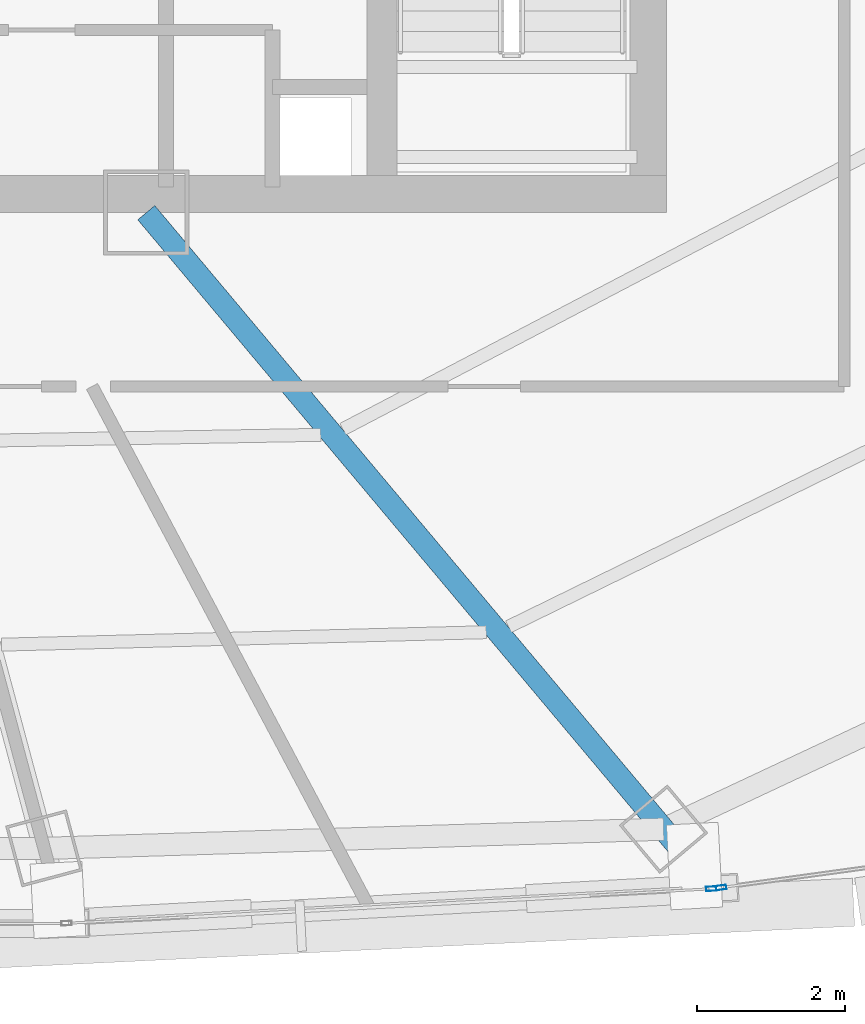
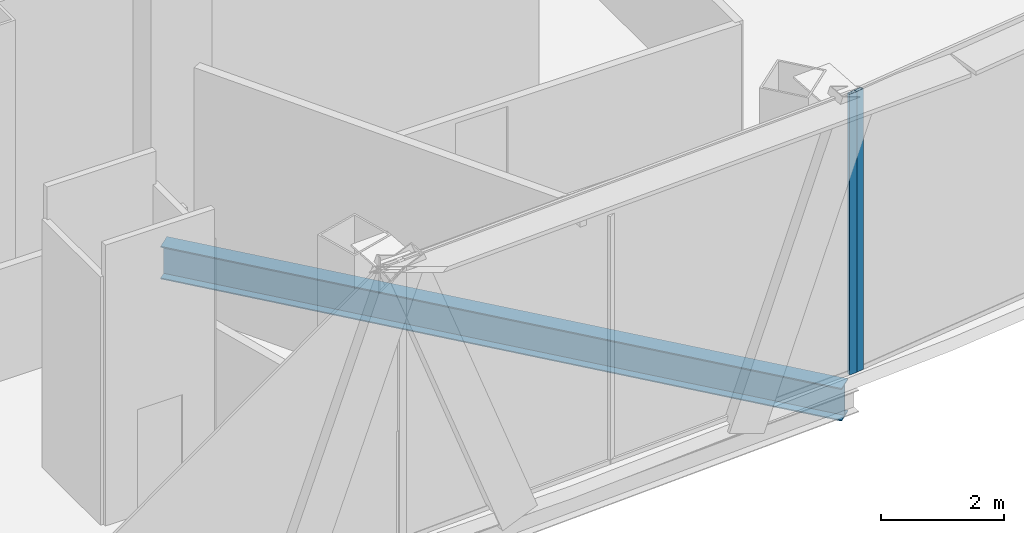
# One storey, part 12 of 38: 2 members, 1 beam, 2 elements without a shape of their own.
"""IFC4 building model written with IfcOpenShell, lengths in metres."""

from ifc_helpers import new_model, si_unit, direction, frame, origin, origin_2d, place, context, subcontext, project, spatial, hollow_rectangle, i_section, extrude, source, transform, mapped, material, layer, layer_set, material_profile, profile_set, type_object, element, aggregate, save


model = new_model("IFC4")

# Units and contexts
model_context = context("Model", 3, precision=1e-05, world=origin(), true_north=direction((0.0, 1.0)))
body_context = subcontext(model_context, "Body", "Model", "MODEL_VIEW")
ifc_project = project(units=[si_unit("LENGTHUNIT", "METRE"), si_unit("AREAUNIT", "SQUARE_METRE"), si_unit("VOLUMEUNIT", "CUBIC_METRE"), si_unit("PLANEANGLEUNIT", "RADIAN"), si_unit("MASSUNIT", "GRAM", prefix="KILO"), si_unit("THERMODYNAMICTEMPERATUREUNIT", "KELVIN"), si_unit("POWERUNIT", "WATT")], contexts=[model_context])

# Site, building, storey
site_placement = place(None, origin())
site = spatial("IfcSite", under=ifc_project, at=site_placement, CompositionType="ELEMENT")
building_placement = place(site_placement, origin())
building = spatial("IfcBuilding", under=site, at=building_placement, Name="Yunzhuo Pagoda Commons", CompositionType="ELEMENT")
storey_placement = place(building_placement, frame((0.0, 0.0, 266.909912109375)))
storey = spatial("IfcBuildingStorey", under=building, at=storey_placement, Name="L67", CompositionType="ELEMENT", Elevation=266.909912109375)

# Beam
ifc_material_1 = material(Name="Structural steel Q355B", Category="steel")
ifc_material_profile_1 = material_profile(ifc_material_1, i_section(OverallWidth=0.300048828125, OverallDepth=0.64990234375, WebThickness=0.012939453125, FlangeThickness=0.02197265625, at=origin_2d()), Name="Structural steel Q355B")
ifc_profile_set_1 = profile_set([ifc_material_profile_1], Name="Structural steel Q355B")
beam_type = type_object("IfcBeamType", Name="B-RG2 Beam HN 650x300x13x22", PredefinedType="BEAM", material=ifc_profile_set_1)
shared_shape_1 = source(origin(), body_context, "Body", "SweptSolid", [
    extrude(i_section(OverallWidth=0.300048828125, OverallDepth=0.64990234375, WebThickness=0.012939453125, FlangeThickness=0.02197265625, at=origin_2d()), origin(), (0.0, 0.0, 1.0), 11.77734375),
])
beam_placement = place(storey_placement, frame((60.982421875, 18.22802734375, -0.5849609375), z_axis=(-0.642786541985, 0.766045339026, 0.0), x_axis=(-0.766045339026, -0.642786541985, 0.0)))
element("IfcBeam", 1, at=beam_placement, inside=storey, type_object=beam_type, Name="L67 radial floor girder F1C4", PredefinedType="BEAM", context=body_context, shape_type="MappedRepresentation", body=[
    mapped(shared_shape_1, transform((0.0, 0.0, 0.0), scale=1.0)),
])

# Curtain wall, member
ifc_material_2 = material(Name="Anodized aluminium 6063-T6", Category="aluminium")
ifc_layer = layer(ifc_material_2, 0.139892578125)
ifc_layer_set = layer_set([ifc_layer], Name="Anodized aluminium 6063-T6")
curtain_wall_type = type_object("IfcCurtainWallType", Name="CW-HI High-Zone Ribbon Curtain Wall", PredefinedType="NOTDEFINED", material=ifc_layer_set)
curtain_wall_1_placement = place(storey_placement, origin())
curtain_wall_1 = element("IfcCurtainWall", 2, at=curtain_wall_1_placement, inside=storey, type_object=curtain_wall_type, Name="L67 curtain wall CW-L67-F1B4", PredefinedType="NOTDEFINED")
ifc_material_profile_2 = material_profile(ifc_material_2, hollow_rectangle(XDim=0.06005859375, YDim=0.139892578125, WallThickness=0.00341796875, at=origin_2d()), Name="Anodized aluminium 6063-T6")
ifc_profile_set_2 = profile_set([ifc_material_profile_2], Name="Anodized aluminium 6063-T6")
member_type = type_object("IfcMemberType", Name="CW-HI-M Mullion RHS 140x60x3.5", PredefinedType="MULLION", material=ifc_profile_set_2)
shared_shape_2 = source(origin(), body_context, "Body", "SweptSolid", [
    extrude(hollow_rectangle(XDim=0.06005859375, YDim=0.139892578125, WallThickness=0.00341796875, at=origin_2d()), origin(), (0.0, 0.0, 1.0), 5.5703125),
])
member_1_placement = place(storey_placement, frame((61.05224609375, 18.10791015625, 0.0), z_axis=(0.0, 0.0, 1.0), x_axis=(-0.053427477858, 0.998571732331, 0.0)))
member_1 = element("IfcMember", 3, at=member_1_placement, type_object=member_type, Name="CW mullion 2", PredefinedType="MULLION", context=body_context, shape_type="MappedRepresentation", body=[
    mapped(shared_shape_2, transform((0.0, 0.0, 0.0), scale=1.0)),
])
aggregate(curtain_wall_1, [member_1])

curtain_wall_2_placement = place(storey_placement, origin())
curtain_wall_2 = element("IfcCurtainWall", 4, at=curtain_wall_2_placement, inside=storey, type_object=curtain_wall_type, Name="L67 curtain wall CW-L67-F1B5", PredefinedType="NOTDEFINED")
member_2_placement = place(storey_placement, frame((61.18603515625, 18.123779296875, 0.0), z_axis=(0.0, 0.0, 1.0), x_axis=(-0.136099051399, 0.990695234776, 0.0)))
member_2 = element("IfcMember", 5, at=member_2_placement, type_object=member_type, Name="CW mullion 1", PredefinedType="MULLION", context=body_context, shape_type="MappedRepresentation", body=[
    mapped(shared_shape_2, transform((0.0, 0.0, 0.0), scale=1.0)),
])
aggregate(curtain_wall_2, [member_2])

save(model, "model.ifc")
